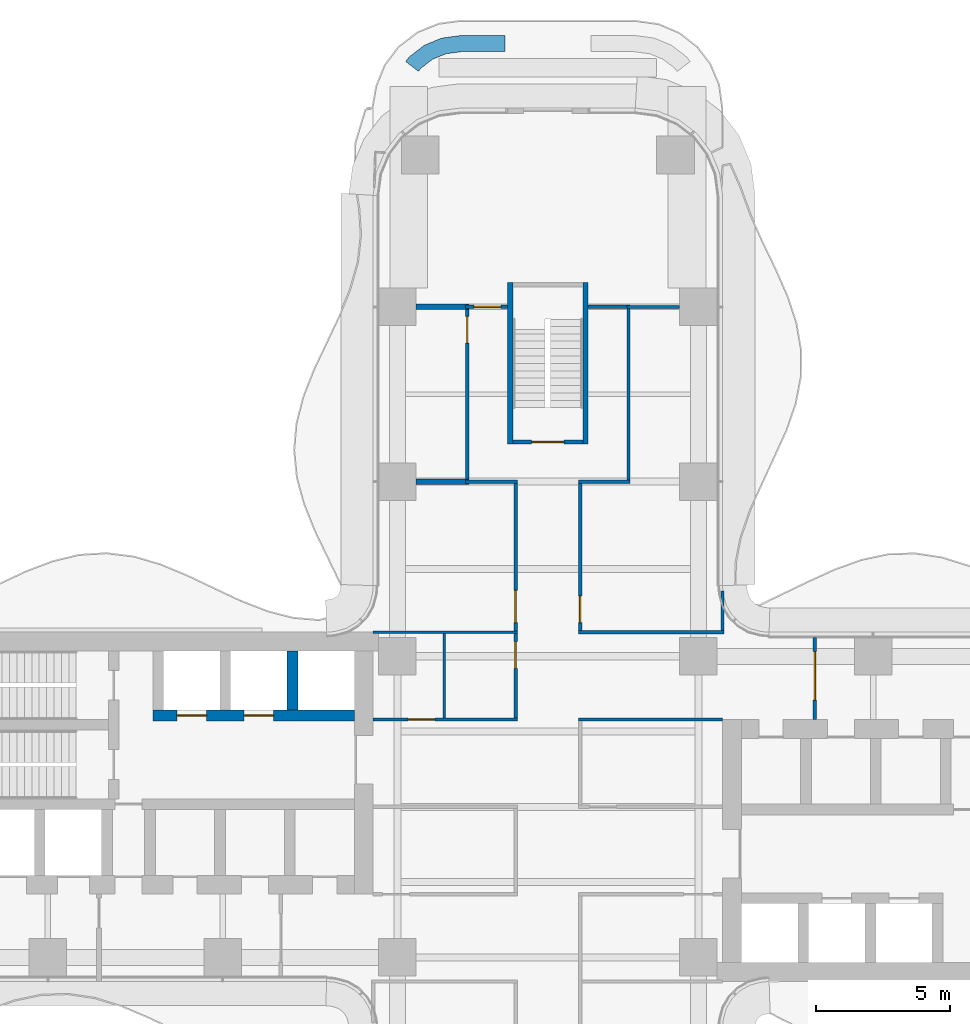
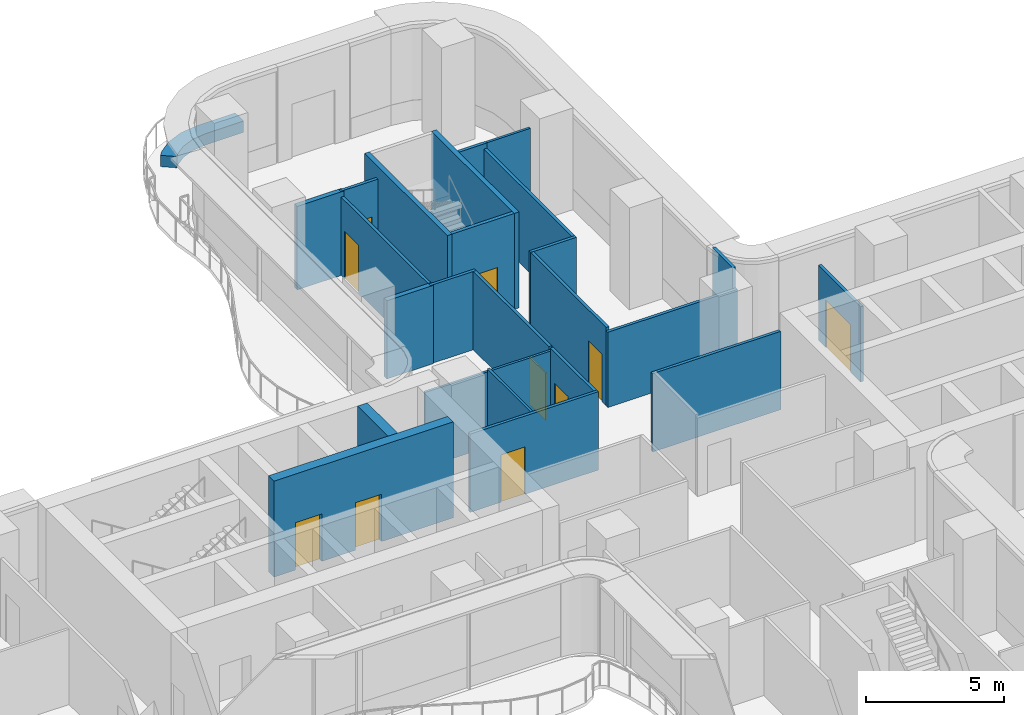
# One storey, part 19 of 22: 25 walls, 10 doors, 10 openings.
"""IFC4 building model written with IfcOpenShell, lengths in metres."""

from ifc_helpers import new_model, si_unit, direction, frame, frame_2d, origin, place, context, subcontext, project, spatial, polyline, rectangle, outline, extrude, source, transform, mapped, material, layer, layer_set, type_object, element, fill, save


model = new_model("IFC4")

# Units and contexts
model_context = context("Model", 3, precision=1e-05, world=origin(), true_north=direction((0.0, 1.0)))
body_context = subcontext(model_context, "Body", "Model", "MODEL_VIEW")
ifc_project = project(units=[si_unit("LENGTHUNIT", "METRE"), si_unit("AREAUNIT", "SQUARE_METRE"), si_unit("VOLUMEUNIT", "CUBIC_METRE"), si_unit("PLANEANGLEUNIT", "RADIAN"), si_unit("MASSUNIT", "GRAM", prefix="KILO")], contexts=[model_context])

# Site, building, storey
site_placement = place(None, origin())
site = spatial("IfcSite", under=ifc_project, at=site_placement, CompositionType="ELEMENT")
building_placement = place(site_placement, origin())
building = spatial("IfcBuilding", under=site, at=building_placement, Name="Trellis Farm Tower", CompositionType="ELEMENT")
storey_placement = place(building_placement, frame((0.0, 0.0, 61.0)))
storey = spatial("IfcBuildingStorey", under=building, at=storey_placement, Name="L12", CompositionType="ELEMENT", Elevation=61.0)

# Walls
ifc_material_1 = material(Name="Sandstone faced masonry planter", Category="masonry")
ifc_layer_1 = layer(ifc_material_1, 0.60009765625)
ifc_layer_set_1 = layer_set([ifc_layer_1], Name="PLANTER BED 600")
wall_type_1 = type_object("IfcWallType", Name="PLANTER BED 600", PredefinedType="USERDEFINED", material=ifc_layer_set_1)
wall_1_placement = place(storey_placement, origin())
element("IfcWall", 1, at=wall_1_placement, inside=storey, type_object=wall_type_1, Name="PLANTER bed", ObjectType="PLANTER", PredefinedType="USERDEFINED", context=body_context, shape_type="SweptSolid", body=[
    extrude(outline(polyline([(-5.15576171875, 27.90576171875), (-4.59765625, 28.334228515625), (-3.947509765625, 28.603515625), (-3.214111328125, 28.699951171875), (-1.60009765625, 28.699951171875), (-1.60009765625, 28.10009765625), (-3.174560546875, 28.10009765625), (-3.791015625, 28.018798828125), (-4.294921875, 27.81005859375), (-4.727783203125, 27.477783203125), (-4.814697265625, 27.364990234375), (-5.29052734375, 27.730224609375), (-5.15576171875, 27.90576171875)])), origin(), (0.0, 0.0, 1.0), 0.5),
])
ifc_material_2 = material(Name="Concrete C80/95", Category="concrete")
ifc_layer_2 = layer(ifc_material_2, 0.39990234375)
ifc_layer_set_2 = layer_set([ifc_layer_2], Name="CORE INNER WALL 400 CONCRETE C80/95")
wall_type_2 = type_object("IfcWallType", Name="CORE INNER WALL 400 CONCRETE C80/95", PredefinedType="SHEAR", material=ifc_layer_set_2)
shared_shape_1 = source(origin(), body_context, "Body", "SweptSolid", [
    extrude(rectangle(XDim=2.199951171875, YDim=0.39990234375, at=frame_2d((1.10009765625, 0.0))), origin(), (0.0, 0.0, 1.0), 4.25),
])
wall_2_placement = place(storey_placement, frame((-9.5, 5.800048828125, 0.0), z_axis=(0.0, 0.0, 1.0), x_axis=(0.0, -1.0, 0.0)))
element("IfcWall", 2, at=wall_2_placement, inside=storey, type_object=wall_type_2, Name="Core wall", PredefinedType="SHEAR", context=body_context, shape_type="MappedRepresentation", body=[
    mapped(shared_shape_1, transform((0.0, 0.0, 0.0))),
])

# Wall, openings, doors
shared_shape_2 = source(origin(), body_context, "Body", "SweptSolid", [
    extrude(rectangle(XDim=7.5, YDim=0.39990234375, at=frame_2d((3.75, 0.0))), origin(), (0.0, 0.0, 1.0), 4.25),
])
wall_3_placement = place(storey_placement, frame((-7.199951171875, 3.39990234375, 0.0), z_axis=(0.0, 0.0, 1.0), x_axis=(-1.0, 0.0, 0.0)))
wall_3 = element("IfcWall", 3, at=wall_3_placement, inside=storey, type_object=wall_type_2, Name="Core wall", PredefinedType="SHEAR", context=body_context, shape_type="MappedRepresentation", body=[
    mapped(shared_shape_2, transform((0.0, 0.0, 0.0))),
])
shared_shape_3 = source(origin(), body_context, "Body", "SweptSolid", [
    extrude(rectangle(XDim=1.10009765625, YDim=2.10009765625, at=frame_2d((0.550048828125, 1.050048828125))), frame((0.0, 0.2099609375, 0.0), z_axis=(0.0, -1.0, 0.0), x_axis=(1.0, 0.0, 0.0)), (0.0, 0.0, 1.0), 0.419921875),
])
opening_1_placement = place(wall_3_placement, frame((3.0, 0.0, 0.0)))
opening_1 = element("IfcOpeningElement", 4, at=opening_1_placement, cuts=wall_3, Name="Opening LD10", PredefinedType="OPENING", context=body_context, shape_type="MappedRepresentation", body=[
    mapped(shared_shape_3, transform((0.0, 0.0, 0.0))),
])
opening_2_placement = place(wall_3_placement, frame((5.5, 0.0, 0.0)))
opening_2 = element("IfcOpeningElement", 5, at=opening_2_placement, cuts=wall_3, Name="Opening LD11", PredefinedType="OPENING", context=body_context, shape_type="MappedRepresentation", body=[
    mapped(shared_shape_3, transform((0.0, 0.0, 0.0))),
])
ifc_material_3 = material(Name="Stainless steel", Category="steel")
door_type_1 = type_object("IfcDoorType", Name="LIFT LANDING DOOR 1100 X 2100", OperationType="DOUBLE_DOOR_SLIDING", PredefinedType="DOOR", material=ifc_material_3)
shared_shape_4 = source(origin(), body_context, "Body", "SweptSolid", [
    extrude(rectangle(XDim=1.10009765625, YDim=2.10009765625, at=frame_2d((0.550048828125, 1.050048828125))), frame((0.0, 0.02490234375, 0.0), z_axis=(0.0, -1.0, 0.0), x_axis=(1.0, 0.0, 0.0)), (0.0, 0.0, 1.0), 0.050048828125),
])
door_1_placement = place(opening_1_placement, origin())
door_1 = element("IfcDoor", 6, at=door_1_placement, inside=storey, type_object=door_type_1, Name="Lift landing door", OperationType="DOUBLE_DOOR_SLIDING", OverallHeight=2.10009765625, OverallWidth=1.10009765625, PredefinedType="DOOR", context=body_context, shape_type="MappedRepresentation", body=[
    mapped(shared_shape_4, transform((0.0, 0.0, 0.0))),
])
fill(opening_1, door_1)
door_2_placement = place(opening_2_placement, origin())
door_2 = element("IfcDoor", 7, at=door_2_placement, inside=storey, type_object=door_type_1, Name="Lift landing door", OperationType="DOUBLE_DOOR_SLIDING", OverallHeight=2.10009765625, OverallWidth=1.10009765625, PredefinedType="DOOR", context=body_context, shape_type="MappedRepresentation", body=[
    mapped(shared_shape_4, transform((0.0, 0.0, 0.0))),
])
fill(opening_2, door_2)

# Walls
ifc_layer_3 = layer(ifc_material_2, 0.199951171875)
ifc_layer_set_3 = layer_set([ifc_layer_3], Name="CORE STAIR ENCLOSURE WALL 200 CONCRETE C80/95")
wall_type_3 = type_object("IfcWallType", Name="CORE STAIR ENCLOSURE WALL 200 CONCRETE C80/95", PredefinedType="SHEAR", material=ifc_layer_set_3)
shared_shape_5 = source(origin(), body_context, "Body", "SweptSolid", [
    extrude(rectangle(XDim=6.0, YDim=0.199951171875, at=frame_2d((3.0, 0.0))), origin(), (0.0, 0.0, 1.0), 4.25),
])
for number, where, z_axis, x_axis, name in (
    (8, (-1.39990234375, 13.5, 0.0), (0.0, 0.0, 1.0), (0.0, 1.0, 0.0), "Stair enclosure wall"),
    (9, (1.39990234375, 13.5, 0.0), (0.0, 0.0, 1.0), (0.0, 1.0, 0.0), "Stair enclosure wall"),
):
    element("IfcWall", number, at=place(storey_placement, frame(where, z_axis=z_axis, x_axis=x_axis)), inside=storey, type_object=wall_type_3, Name=name, PredefinedType="SHEAR", context=body_context, shape_type="MappedRepresentation", body=[
        mapped(shared_shape_5, transform((0.0, 0.0, 0.0))),
    ])

# Wall, opening, door
ifc_layer_4 = layer(ifc_material_2, 0.14990234375)
ifc_layer_set_4 = layer_set([ifc_layer_4], Name="CORE STAIR ENCLOSURE WALL 150 CONCRETE C80/95")
wall_type_4 = type_object("IfcWallType", Name="CORE STAIR ENCLOSURE WALL 150 CONCRETE C80/95", PredefinedType="SHEAR", material=ifc_layer_set_4)
shared_shape_6 = source(origin(), body_context, "Body", "SweptSolid", [
    extrude(rectangle(XDim=2.60009765625, YDim=0.14990234375, at=frame_2d((1.300048828125, 0.0))), origin(), (0.0, 0.0, 1.0), 4.25),
])
wall_4_placement = place(storey_placement, frame((-1.300048828125, 13.574951171875, 0.0), z_axis=(0.0, 0.0, 1.0), x_axis=(1.0, 0.0, 0.0)))
wall_4 = element("IfcWall", 10, at=wall_4_placement, inside=storey, type_object=wall_type_4, Name="Stair enclosure wall", PredefinedType="SHEAR", context=body_context, shape_type="MappedRepresentation", body=[
    mapped(shared_shape_6, transform((0.0, 0.0, 0.0))),
])
shared_shape_7 = source(origin(), body_context, "Body", "SweptSolid", [
    extrude(rectangle(XDim=1.199951171875, YDim=2.10009765625, at=frame_2d((0.60009765625, 1.050048828125))), frame((0.0, 0.0849609375, 0.0), z_axis=(0.0, -1.0, 0.0), x_axis=(1.0, 0.0, 0.0)), (0.0, 0.0, 1.0), 0.169921875),
])
opening_3_placement = place(wall_4_placement, frame((0.699951171875, 0.0, 0.0)))
opening_3 = element("IfcOpeningElement", 11, at=opening_3_placement, cuts=wall_4, Name="Opening DC173", PredefinedType="OPENING", context=body_context, shape_type="MappedRepresentation", body=[
    mapped(shared_shape_7, transform((0.0, 0.0, 0.0))),
])
ifc_material_4 = material(Name="Steel", Category="steel")
door_type_2 = type_object("IfcDoorType", Name="CORE FIRE DOOR 1200 X 2100", OperationType="NOTDEFINED", PredefinedType="DOOR", material=ifc_material_4)
shared_shape_8 = source(origin(), body_context, "Body", "SweptSolid", [
    extrude(rectangle(XDim=1.199951171875, YDim=2.10009765625, at=frame_2d((0.60009765625, 1.050048828125))), frame((0.0, 0.02490234375, 0.0), z_axis=(0.0, -1.0, 0.0), x_axis=(1.0, 0.0, 0.0)), (0.0, 0.0, 1.0), 0.050048828125),
])
door_3_placement = place(opening_3_placement, origin())
door_3 = element("IfcDoor", 12, at=door_3_placement, inside=storey, type_object=door_type_2, Name="Core door", OperationType="SINGLE_SWING_LEFT", OverallHeight=2.10009765625, OverallWidth=1.199951171875, PredefinedType="DOOR", context=body_context, shape_type="MappedRepresentation", body=[
    mapped(shared_shape_8, transform((0.0, 0.0, 0.0))),
])
fill(opening_3, door_3)

ifc_material_5 = material(Name="Plasterboard on steel studs, mineral wool", Category="steel")
ifc_layer_5 = layer(ifc_material_5, 0.125)
ifc_layer_set_5 = layer_set([ifc_layer_5], Name="PARTITION 125 STUD EI 60")
wall_type_5 = type_object("IfcWallType", Name="PARTITION 125 STUD EI 60", PredefinedType="PARTITIONING", material=ifc_layer_set_5)
shared_shape_9 = source(origin(), body_context, "Body", "SweptSolid", [
    extrude(rectangle(XDim=5.47509765625, YDim=0.125, at=frame_2d((2.737548828125, 0.0))), origin(), (0.0, 0.0, 1.0), 3.4677734375),
])
wall_5_placement = place(storey_placement, frame((1.199951171875, 12.03759765625, 0.0), z_axis=(0.0, 0.0, 1.0), x_axis=(0.0, -1.0, 0.0)))
wall_5 = element("IfcWall", 13, at=wall_5_placement, inside=storey, type_object=wall_type_5, Name="Partition PW1", PredefinedType="PARTITIONING", context=body_context, shape_type="MappedRepresentation", body=[
    mapped(shared_shape_9, transform((0.0, 0.0, 0.0))),
])
shared_shape_10 = source(origin(), body_context, "Body", "SweptSolid", [
    extrude(rectangle(XDim=1.0, YDim=2.10009765625, at=frame_2d((0.5, 1.050048828125))), frame((0.0, 0.072509765625, 0.0), z_axis=(0.0, -1.0, 0.0), x_axis=(1.0, 0.0, 0.0)), (0.0, 0.0, 1.0), 0.14501953125),
])
opening_4_placement = place(wall_5_placement, frame((4.1875, 0.0, 0.0)))
opening_4 = element("IfcOpeningElement", 14, at=opening_4_placement, cuts=wall_5, Name="Opening D112", PredefinedType="OPENING", context=body_context, shape_type="MappedRepresentation", body=[
    mapped(shared_shape_10, transform((0.0, 0.0, 0.0))),
])
ifc_material_6 = material(Name="Fire-rated timber door leaf in a hollow metal frame", Category="wood")
door_type_3 = type_object("IfcDoorType", Name="DOOR 1000x2100 FD30S", OperationType="NOTDEFINED", PredefinedType="DOOR", material=ifc_material_6)
shared_shape_11 = source(origin(), body_context, "Body", "SweptSolid", [
    extrude(rectangle(XDim=1.0, YDim=2.10009765625, at=frame_2d((0.5, 1.050048828125))), frame((0.0, 0.02490234375, 0.0), z_axis=(0.0, -1.0, 0.0), x_axis=(1.0, 0.0, 0.0)), (0.0, 0.0, 1.0), 0.050048828125),
])
door_4_placement = place(opening_4_placement, origin())
door_4 = element("IfcDoor", 15, at=door_4_placement, inside=storey, type_object=door_type_3, Name="Door D112", OperationType="SINGLE_SWING_RIGHT", OverallHeight=2.10009765625, OverallWidth=1.0, PredefinedType="DOOR", context=body_context, shape_type="MappedRepresentation", body=[
    mapped(shared_shape_11, transform((0.0, 0.0, 0.0))),
])
fill(opening_4, door_4)

# Walls
shared_shape_12 = source(origin(), body_context, "Body", "SweptSolid", [
    extrude(rectangle(XDim=1.468994140625, YDim=0.125, at=frame_2d((0.734375, 0.0))), origin(), (0.0, 0.0, 1.0), 4.25),
])
wall_6_placement = place(storey_placement, frame((6.5, 6.5625, 0.0), z_axis=(0.0, 0.0, 1.0), x_axis=(0.0, 1.0, 0.0)))
element("IfcWall", 16, at=wall_6_placement, inside=storey, type_object=wall_type_5, Name="Partition PW1", PredefinedType="PARTITIONING", context=body_context, shape_type="MappedRepresentation", body=[
    mapped(shared_shape_12, transform((0.0, 0.0, 0.0))),
])
shared_shape_13 = source(origin(), body_context, "Body", "SweptSolid", [
    extrude(rectangle(XDim=1.925048828125, YDim=0.125, at=frame_2d((0.96240234375, 0.0))), origin(), (0.0, 0.0, 1.0), 3.4677734375),
])
for number, where, z_axis, x_axis, name in (
    (17, (-1.137451171875, 12.10009765625, 0.0), (0.0, 0.0, 1.0), (-1.0, 0.0, 0.0), "Partition PW1"),
    (18, (3.0625, 12.10009765625, 0.0), (0.0, 0.0, 1.0), (-1.0, 0.0, 0.0), "Partition PW1"),
):
    element("IfcWall", number, at=place(storey_placement, frame(where, z_axis=z_axis, x_axis=x_axis)), inside=storey, type_object=wall_type_5, Name=name, PredefinedType="PARTITIONING", context=body_context, shape_type="MappedRepresentation", body=[
        mapped(shared_shape_13, transform((0.0, 0.0, 0.0))),
    ])

# Wall, opening, door
shared_shape_14 = source(origin(), body_context, "Body", "SweptSolid", [
    extrude(rectangle(XDim=5.362548828125, YDim=0.125, at=frame_2d((2.68115234375, 0.0))), origin(), (0.0, 0.0, 1.0), 3.4677734375),
])
wall_7_placement = place(storey_placement, frame((-6.5, 3.25, 0.0), z_axis=(0.0, 0.0, 1.0), x_axis=(1.0, 0.0, 0.0)))
wall_7 = element("IfcWall", 19, at=wall_7_placement, inside=storey, type_object=wall_type_5, Name="Partition PW1", PredefinedType="PARTITIONING", context=body_context, shape_type="MappedRepresentation", body=[
    mapped(shared_shape_14, transform((0.0, 0.0, 0.0))),
])
opening_5_placement = place(wall_7_placement, frame((1.300048828125, 0.0, 0.0)))
opening_5 = element("IfcOpeningElement", 20, at=opening_5_placement, cuts=wall_7, Name="Opening D109", PredefinedType="OPENING", context=body_context, shape_type="MappedRepresentation", body=[
    mapped(shared_shape_10, transform((0.0, 0.0, 0.0))),
])
door_5_placement = place(opening_5_placement, origin())
door_5 = element("IfcDoor", 21, at=door_5_placement, inside=storey, type_object=door_type_3, Name="Door D109", OperationType="SINGLE_SWING_RIGHT", OverallHeight=2.10009765625, OverallWidth=1.0, PredefinedType="DOOR", context=body_context, shape_type="MappedRepresentation", body=[
    mapped(shared_shape_11, transform((0.0, 0.0, 0.0))),
])
fill(opening_5, door_5)

# Walls
wall_8_placement = place(storey_placement, frame((1.137451171875, 3.25, 0.0), z_axis=(0.0, 0.0, 1.0), x_axis=(1.0, 0.0, 0.0)))
element("IfcWall", 22, at=wall_8_placement, inside=storey, type_object=wall_type_5, Name="Partition PW1", PredefinedType="PARTITIONING", context=body_context, shape_type="MappedRepresentation", body=[
    mapped(shared_shape_14, transform((0.0, 0.0, 0.0))),
])
shared_shape_15 = source(origin(), body_context, "Body", "SweptSolid", [
    extrude(rectangle(XDim=5.425048828125, YDim=0.125, at=frame_2d((2.71240234375, 0.0))), origin(), (0.0, 0.0, 1.0), 3.330078125),
])
wall_9_placement = place(storey_placement, frame((1.137451171875, 6.5, 0.0), z_axis=(0.0, 0.0, 1.0), x_axis=(1.0, 0.0, 0.0)))
element("IfcWall", 23, at=wall_9_placement, inside=storey, type_object=wall_type_5, Name="Partition PW1", PredefinedType="PARTITIONING", context=body_context, shape_type="MappedRepresentation", body=[
    mapped(shared_shape_15, transform((0.0, 0.0, 0.0))),
])
ifc_material_7 = material(Name="Lightweight blockwork, plastered", Category="masonry")
ifc_layer_6 = layer(ifc_material_7, 0.199951171875)
ifc_layer_set_6 = layer_set([ifc_layer_6], Name="BLOCK WALL 200 EI 120")
wall_type_6 = type_object("IfcWallType", Name="BLOCK WALL 200 EI 120", PredefinedType="PARTITIONING", material=ifc_layer_set_6)
shared_shape_16 = source(origin(), body_context, "Body", "SweptSolid", [
    extrude(rectangle(XDim=1.96240234375, YDim=0.199951171875, at=frame_2d((0.981201171875, 0.0))), origin(), (0.0, 0.0, 1.0), 3.4677734375),
])
wall_10_placement = place(storey_placement, frame((-4.89990234375, 12.10009765625, 0.0), z_axis=(0.0, 0.0, 1.0), x_axis=(1.0, 0.0, 0.0)))
element("IfcWall", 24, at=wall_10_placement, inside=storey, type_object=wall_type_6, Name="Partition PW3", PredefinedType="PARTITIONING", context=body_context, shape_type="MappedRepresentation", body=[
    mapped(shared_shape_16, transform((0.0, 0.0, 0.0))),
])

# Wall, opening, door
shared_shape_17 = source(origin(), body_context, "Body", "SweptSolid", [
    extrude(rectangle(XDim=6.300048828125, YDim=0.125, at=frame_2d((3.14990234375, 0.0))), origin(), (0.0, 0.0, 1.0), 3.4677734375),
])
wall_11_placement = place(storey_placement, frame((-3.0, 12.199951171875, 0.0), z_axis=(0.0, 0.0, 1.0), x_axis=(0.0, 1.0, 0.0)))
wall_11 = element("IfcWall", 25, at=wall_11_placement, inside=storey, type_object=wall_type_5, Name="Partition PW1", PredefinedType="PARTITIONING", context=body_context, shape_type="MappedRepresentation", body=[
    mapped(shared_shape_17, transform((0.0, 0.0, 0.0))),
])
opening_6_placement = place(wall_11_placement, frame((5.050048828125, 0.0, 0.0)))
opening_6 = element("IfcOpeningElement", 26, at=opening_6_placement, cuts=wall_11, Name="Opening D113", PredefinedType="OPENING", context=body_context, shape_type="MappedRepresentation", body=[
    mapped(shared_shape_10, transform((0.0, 0.0, 0.0))),
])
door_6_placement = place(opening_6_placement, origin())
door_6 = element("IfcDoor", 27, at=door_6_placement, inside=storey, type_object=door_type_3, Name="Door D113", OperationType="SINGLE_SWING_RIGHT", OverallHeight=2.10009765625, OverallWidth=1.0, PredefinedType="DOOR", context=body_context, shape_type="MappedRepresentation", body=[
    mapped(shared_shape_11, transform((0.0, 0.0, 0.0))),
])
fill(opening_6, door_6)

shared_shape_18 = source(origin(), body_context, "Body", "SweptSolid", [
    extrude(rectangle(XDim=3.137451171875, YDim=0.125, at=frame_2d((1.56884765625, 0.0))), origin(), (0.0, 0.0, 1.0), 3.4677734375),
])
wall_12_placement = place(storey_placement, frame((-1.199951171875, 6.449951171875, 0.0), z_axis=(0.0, 0.0, 1.0), x_axis=(0.0, -1.0, 0.0)))
wall_12 = element("IfcWall", 28, at=wall_12_placement, inside=storey, type_object=wall_type_5, Name="Partition PW1", PredefinedType="PARTITIONING", context=body_context, shape_type="MappedRepresentation", body=[
    mapped(shared_shape_18, transform((0.0, 0.0, 0.0))),
])
opening_7_placement = place(wall_12_placement, frame((0.300048828125, 0.0, 0.0)))
opening_7 = element("IfcOpeningElement", 29, at=opening_7_placement, cuts=wall_12, Name="Opening D111", PredefinedType="OPENING", context=body_context, shape_type="MappedRepresentation", body=[
    mapped(shared_shape_10, transform((0.0, 0.0, 0.0))),
])
door_7_placement = place(opening_7_placement, origin())
door_7 = element("IfcDoor", 30, at=door_7_placement, inside=storey, type_object=door_type_3, Name="Door D111", OperationType="SINGLE_SWING_LEFT", OverallHeight=2.10009765625, OverallWidth=1.0, PredefinedType="DOOR", context=body_context, shape_type="MappedRepresentation", body=[
    mapped(shared_shape_11, transform((0.0, 0.0, 0.0))),
])
fill(opening_7, door_7)

shared_shape_19 = source(origin(), body_context, "Body", "SweptSolid", [
    extrude(rectangle(XDim=5.487548828125, YDim=0.125, at=frame_2d((2.74365234375, 0.0))), origin(), (0.0, 0.0, 1.0), 3.4677734375),
])
wall_13_placement = place(storey_placement, frame((-1.199951171875, 6.550048828125, 0.0), z_axis=(0.0, 0.0, 1.0), x_axis=(0.0, 1.0, 0.0)))
wall_13 = element("IfcWall", 31, at=wall_13_placement, inside=storey, type_object=wall_type_5, Name="Partition PW1", PredefinedType="PARTITIONING", context=body_context, shape_type="MappedRepresentation", body=[
    mapped(shared_shape_19, transform((0.0, 0.0, 0.0))),
])
shared_shape_20 = source(origin(), body_context, "Body", "SweptSolid", [
    extrude(rectangle(XDim=1.199951171875, YDim=2.10009765625, at=frame_2d((0.60009765625, 1.050048828125))), frame((0.0, 0.072509765625, 0.0), z_axis=(0.0, -1.0, 0.0), x_axis=(1.0, 0.0, 0.0)), (0.0, 0.0, 1.0), 0.14501953125),
])
opening_8_placement = place(wall_13_placement, frame((0.300048828125, 0.0, 0.0)))
opening_8 = element("IfcOpeningElement", 32, at=opening_8_placement, cuts=wall_13, Name="Opening D603", PredefinedType="OPENING", context=body_context, shape_type="MappedRepresentation", body=[
    mapped(shared_shape_20, transform((0.0, 0.0, 0.0))),
])
door_type_4 = type_object("IfcDoorType", Name="DOOR 1200x2100 FD30S", OperationType="NOTDEFINED", PredefinedType="DOOR", material=ifc_material_6)
door_8_placement = place(opening_8_placement, origin())
door_8 = element("IfcDoor", 33, at=door_8_placement, inside=storey, type_object=door_type_4, Name="Door D603", OperationType="SINGLE_SWING_LEFT", OverallHeight=2.10009765625, OverallWidth=1.199951171875, PredefinedType="DOOR", context=body_context, shape_type="MappedRepresentation", body=[
    mapped(shared_shape_8, transform((0.0, 0.0, 0.0))),
])
fill(opening_8, door_8)

# Wall
ifc_material_8 = material(Name="Plasterboard on steel studs", Category="steel")
ifc_layer_7 = layer(ifc_material_8, 0.10009765625)
ifc_layer_set_7 = layer_set([ifc_layer_7], Name="PARTITION 100 STUD EI 30")
wall_type_7 = type_object("IfcWallType", Name="PARTITION 100 STUD EI 30", PredefinedType="PARTITIONING", material=ifc_layer_set_7)
shared_shape_21 = source(origin(), body_context, "Body", "SweptSolid", [
    extrude(rectangle(XDim=5.362548828125, YDim=0.10009765625, at=frame_2d((2.68115234375, 0.0))), origin(), (0.0, 0.0, 1.0), 3.330078125),
])
wall_14_placement = place(storey_placement, frame((-6.5, 6.5, 0.0), z_axis=(0.0, 0.0, 1.0), x_axis=(1.0, 0.0, 0.0)))
element("IfcWall", 34, at=wall_14_placement, inside=storey, type_object=wall_type_7, Name="Partition PW2", PredefinedType="PARTITIONING", context=body_context, shape_type="MappedRepresentation", body=[
    mapped(shared_shape_21, transform((0.0, 0.0, 0.0))),
])

# Wall, opening, door
shared_shape_22 = source(origin(), body_context, "Body", "SweptSolid", [
    extrude(rectangle(XDim=3.050048828125, YDim=0.125, at=frame_2d((1.52490234375, 0.0))), origin(), (0.0, 0.0, 1.0), 3.330078125),
])
wall_15_placement = place(storey_placement, frame((9.93408203125, 3.25, 0.0), z_axis=(0.0, 0.0, 1.0), x_axis=(0.0, 1.0, 0.0)))
wall_15 = element("IfcWall", 35, at=wall_15_placement, inside=storey, type_object=wall_type_5, Name="Partition PW1", PredefinedType="PARTITIONING", context=body_context, shape_type="MappedRepresentation", body=[
    mapped(shared_shape_22, transform((0.0, 0.0, 0.0))),
])
shared_shape_23 = source(origin(), body_context, "Body", "SweptSolid", [
    extrude(rectangle(XDim=1.800048828125, YDim=2.10009765625, at=frame_2d((0.89990234375, 1.050048828125))), frame((0.0, 0.072509765625, 0.0), z_axis=(0.0, -1.0, 0.0), x_axis=(1.0, 0.0, 0.0)), (0.0, 0.0, 1.0), 0.14501953125),
])
opening_9_placement = place(wall_15_placement, frame((0.72509765625, 0.0, 0.0)))
opening_9 = element("IfcOpeningElement", 36, at=opening_9_placement, cuts=wall_15, Name="Opening D402", PredefinedType="OPENING", context=body_context, shape_type="MappedRepresentation", body=[
    mapped(shared_shape_23, transform((0.0, 0.0, 0.0))),
])
door_type_5 = type_object("IfcDoorType", Name="DOOR PAIR 1800x2100 FD60", OperationType="NOTDEFINED", PredefinedType="DOOR", material=ifc_material_6)
shared_shape_24 = source(origin(), body_context, "Body", "SweptSolid", [
    extrude(rectangle(XDim=1.800048828125, YDim=2.10009765625, at=frame_2d((0.89990234375, 1.050048828125))), frame((0.0, 0.02490234375, 0.0), z_axis=(0.0, -1.0, 0.0), x_axis=(1.0, 0.0, 0.0)), (0.0, 0.0, 1.0), 0.050048828125),
])
door_9_placement = place(opening_9_placement, origin())
door_9 = element("IfcDoor", 37, at=door_9_placement, inside=storey, type_object=door_type_5, Name="Door D402", OperationType="DOUBLE_DOOR_SINGLE_SWING", OverallHeight=2.10009765625, OverallWidth=1.800048828125, PredefinedType="DOOR", context=body_context, shape_type="MappedRepresentation", body=[
    mapped(shared_shape_24, transform((0.0, 0.0, 0.0))),
])
fill(opening_9, door_9)

shared_shape_25 = source(origin(), body_context, "Body", "SweptSolid", [
    extrude(rectangle(XDim=1.5625, YDim=0.125, at=frame_2d((0.78125, 0.0))), origin(), (0.0, 0.0, 1.0), 3.697021484375),
])
wall_16_placement = place(storey_placement, frame((-3.0625, 18.60009765625, 0.0), z_axis=(0.0, 0.0, 1.0), x_axis=(1.0, 0.0, 0.0)))
wall_16 = element("IfcWall", 38, at=wall_16_placement, inside=storey, type_object=wall_type_5, Name="Partition PW1", PredefinedType="PARTITIONING", context=body_context, shape_type="MappedRepresentation", body=[
    mapped(shared_shape_25, transform((0.0, 0.0, 0.0))),
])
opening_10_placement = place(wall_16_placement, frame((0.3125, 0.0, 0.0)))
opening_10 = element("IfcOpeningElement", 39, at=opening_10_placement, cuts=wall_16, Name="Opening D114", PredefinedType="OPENING", context=body_context, shape_type="MappedRepresentation", body=[
    mapped(shared_shape_10, transform((0.0, 0.0, 0.0))),
])
door_10_placement = place(opening_10_placement, origin())
door_10 = element("IfcDoor", 40, at=door_10_placement, inside=storey, type_object=door_type_3, Name="Door D114", OperationType="SINGLE_SWING_RIGHT", OverallHeight=2.10009765625, OverallWidth=1.0, PredefinedType="DOOR", context=body_context, shape_type="MappedRepresentation", body=[
    mapped(shared_shape_11, transform((0.0, 0.0, 0.0))),
])
fill(opening_10, door_10)

# Walls
wall_17_placement = place(storey_placement, frame((1.5, 18.60009765625, 0.0), z_axis=(0.0, 0.0, 1.0), x_axis=(1.0, 0.0, 0.0)))
element("IfcWall", 41, at=wall_17_placement, inside=storey, type_object=wall_type_5, Name="Partition PW1", PredefinedType="PARTITIONING", context=body_context, shape_type="MappedRepresentation", body=[
    mapped(shared_shape_25, transform((0.0, 0.0, 0.0))),
])
shared_shape_26 = source(origin(), body_context, "Body", "SweptSolid", [
    extrude(rectangle(XDim=3.137451171875, YDim=0.10009765625, at=frame_2d((1.56884765625, 0.0))), origin(), (0.0, 0.0, 1.0), 3.4677734375),
])
wall_18_placement = place(storey_placement, frame((-3.85009765625, 3.3125, 0.0), z_axis=(0.0, 0.0, 1.0), x_axis=(0.0, 1.0, 0.0)))
element("IfcWall", 42, at=wall_18_placement, inside=storey, type_object=wall_type_7, Name="Partition PW2", PredefinedType="PARTITIONING", context=body_context, shape_type="MappedRepresentation", body=[
    mapped(shared_shape_26, transform((0.0, 0.0, 0.0))),
])
shared_shape_27 = source(origin(), body_context, "Body", "SweptSolid", [
    extrude(rectangle(XDim=6.387451171875, YDim=0.125, at=frame_2d((3.19384765625, 0.0))), origin(), (0.0, 0.0, 1.0), 3.4677734375),
])
wall_19_placement = place(storey_placement, frame((3.0, 18.550048828125, 0.0), z_axis=(0.0, 0.0, 1.0), x_axis=(0.0, -1.0, 0.0)))
element("IfcWall", 43, at=wall_19_placement, inside=storey, type_object=wall_type_5, Name="Partition PW1", PredefinedType="PARTITIONING", context=body_context, shape_type="MappedRepresentation", body=[
    mapped(shared_shape_27, transform((0.0, 0.0, 0.0))),
])
shared_shape_28 = source(origin(), body_context, "Body", "SweptSolid", [
    extrude(rectangle(XDim=1.96240234375, YDim=0.199951171875, at=frame_2d((0.981201171875, 0.0))), origin(), (0.0, 0.0, 1.0), 3.697021484375),
])
wall_20_placement = place(storey_placement, frame((-4.89990234375, 18.60009765625, 0.0), z_axis=(0.0, 0.0, 1.0), x_axis=(1.0, 0.0, 0.0)))
element("IfcWall", 44, at=wall_20_placement, inside=storey, type_object=wall_type_6, Name="Partition PW3", PredefinedType="PARTITIONING", context=body_context, shape_type="MappedRepresentation", body=[
    mapped(shared_shape_28, transform((0.0, 0.0, 0.0))),
])
shared_shape_29 = source(origin(), body_context, "Body", "SweptSolid", [
    extrude(rectangle(XDim=1.96240234375, YDim=0.10009765625, at=frame_2d((0.981201171875, 0.0))), origin(), (0.0, 0.0, 1.0), 3.697021484375),
])
wall_21_placement = place(storey_placement, frame((2.9375, 18.60009765625, 0.0), z_axis=(0.0, 0.0, 1.0), x_axis=(1.0, 0.0, 0.0)))
element("IfcWall", 45, at=wall_21_placement, inside=storey, type_object=wall_type_7, Name="Partition PW2", PredefinedType="PARTITIONING", context=body_context, shape_type="MappedRepresentation", body=[
    mapped(shared_shape_29, transform((0.0, 0.0, 0.0))),
])

save(model, "model.ifc")
